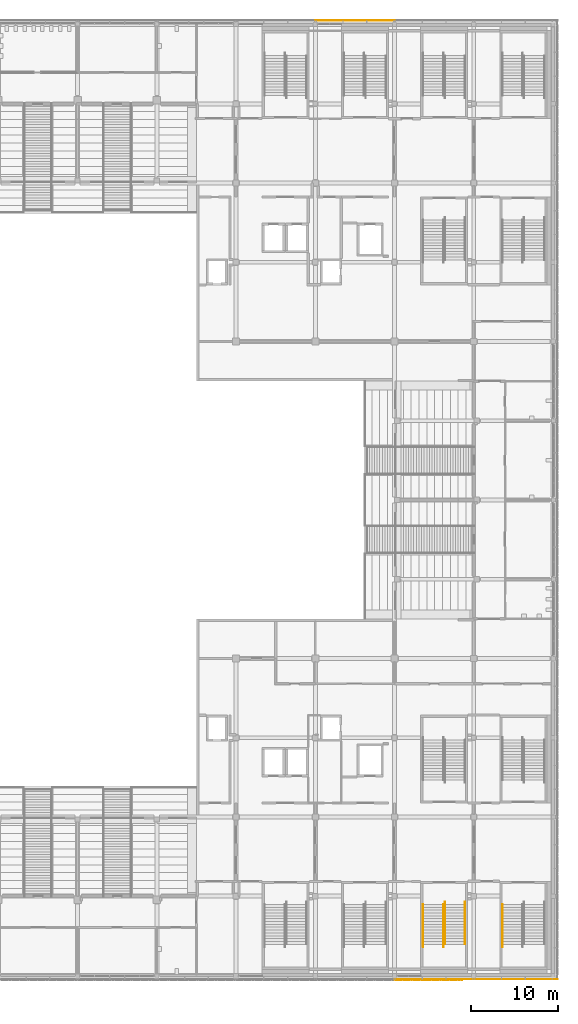
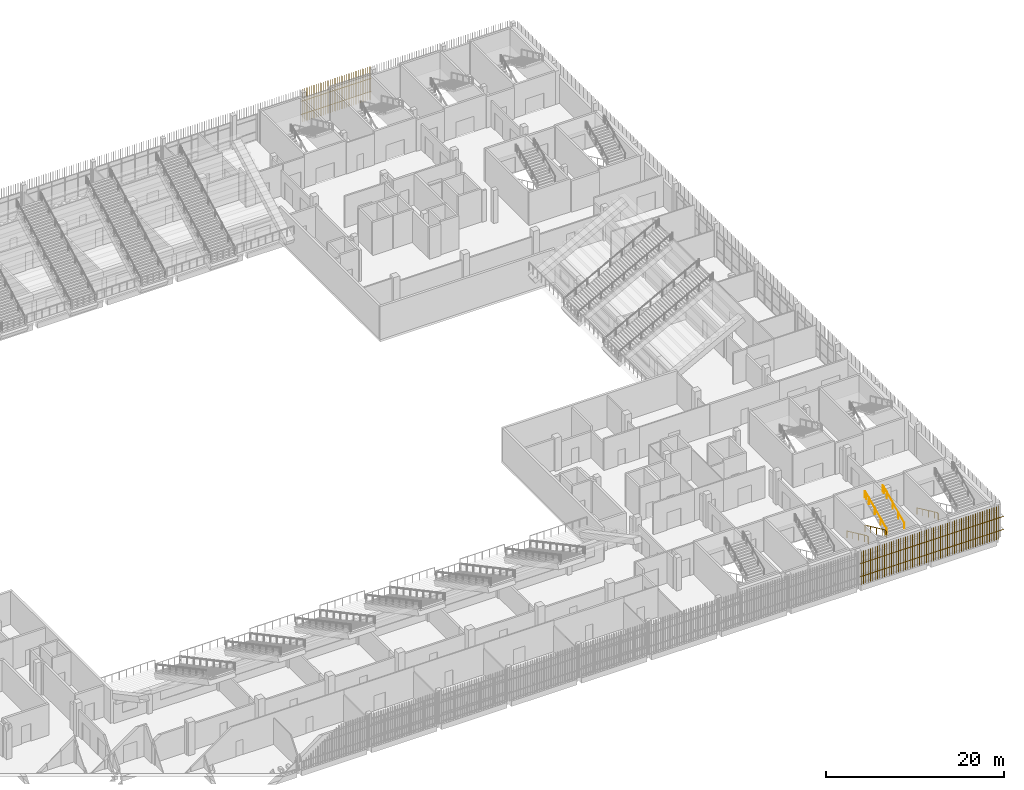
# One storey, part 130 of 139: 5 railings, 3 shading devices.
"""IFC4 building model written with IfcOpenShell, lengths in metres."""

from ifc_helpers import new_model, si_unit, direction, frame, origin, origin_2d, place, context, subcontext, project, spatial, rectangle, circle, extrude, material, type_object, element, save


model = new_model("IFC4")

# Units and contexts
model_context = context("Model", 3, precision=1e-05, world=origin(), true_north=direction((0.0, 1.0)))
body_context = subcontext(model_context, "Body", "Model", "MODEL_VIEW")
ifc_project = project(units=[si_unit("LENGTHUNIT", "METRE"), si_unit("AREAUNIT", "SQUARE_METRE"), si_unit("VOLUMEUNIT", "CUBIC_METRE"), si_unit("PLANEANGLEUNIT", "RADIAN"), si_unit("MASSUNIT", "GRAM", prefix="KILO")], contexts=[model_context])

# Site, building, storey
site_placement = place(None, origin())
site = spatial("IfcSite", under=ifc_project, at=site_placement, CompositionType="ELEMENT")
building_placement = place(site_placement, origin())
building = spatial("IfcBuilding", under=site, at=building_placement, Name="Shirokan Park Arena", CompositionType="ELEMENT")
storey_placement = place(building_placement, frame((0.0, 0.0, 15.469970703125)))
storey = spatial("IfcBuildingStorey", under=building, at=storey_placement, Name="L03", CompositionType="ELEMENT", Elevation=15.469970703125)

# Railings
ifc_material_1 = material(Name="Stainless steel", Category="steel")
railing_type = type_object("IfcRailingType", Name="Stair handrail 900", PredefinedType="HANDRAIL", material=ifc_material_1)
railing_1_placement = place(storey_placement, frame((139.7900390625, 8.14990234375, 0.151611328125)))
element("IfcRailing", 1, at=railing_1_placement, inside=storey, type_object=railing_type, Name="Handrail Exit Stair 2.A L03 to L04", PredefinedType="HANDRAIL", context=body_context, shape_type="SweptSolid", body=[
    extrude(circle(Radius=0.02392578125, at=origin_2d()), frame((0.0, 0.0, 0.8759765625), z_axis=(0.0, -0.906999720516, 0.421131222998), x_axis=(1.0, 0.0, 0.0)), (0.0, 0.0, 1.0), 1.440673828125),
    extrude(circle(Radius=0.02392578125, at=origin_2d()), frame((0.0, -1.306640625, 1.482421875), z_axis=(0.0, -0.907029769225, 0.421066500378), x_axis=(1.0, 0.0, 0.0)), (0.0, 0.0, 1.0), 1.44091796875),
    extrude(circle(Radius=0.02392578125, at=origin_2d()), frame((0.0, -2.613525390625, 2.08935546875), z_axis=(0.0, -0.907029769225, 0.421066500378), x_axis=(1.0, 0.0, 0.0)), (0.0, 0.0, 1.0), 1.44091796875),
    extrude(circle(Radius=0.02392578125, at=origin_2d()), frame((0.0, -3.92041015625, 2.69580078125), z_axis=(0.0, -0.906934982928, 0.421270621741), x_axis=(1.0, 0.0, 0.0)), (0.0, 0.0, 1.0), 0.720458984375),
    extrude(circle(Radius=0.02392578125, at=origin_2d()), frame((0.0, -4.57373046875, 2.99951171875), z_axis=(0.0, -1.0, 0.0), x_axis=(1.0, 0.0, 0.0)), (0.0, 0.0, 1.0), 0.300048828125),
    extrude(circle(Radius=0.02099609375, at=origin_2d()), origin(), (0.0, 0.0, 1.0), 0.851806640625),
    extrude(circle(Radius=0.02099609375, at=origin_2d()), frame((0.0, -1.306640625, 0.606689453125)), (0.0, 0.0, 1.0), 0.851806640625),
    extrude(circle(Radius=0.02099609375, at=origin_2d()), frame((0.0, -2.613525390625, 1.21337890625)), (0.0, 0.0, 1.0), 0.851806640625),
    extrude(circle(Radius=0.02099609375, at=origin_2d()), frame((0.0, -3.92041015625, 1.820068359375)), (0.0, 0.0, 1.0), 0.851806640625),
    extrude(circle(Radius=0.02099609375, at=origin_2d()), frame((0.0, -4.57373046875, 2.12353515625)), (0.0, 0.0, 1.0), 0.851806640625),
    extrude(circle(Radius=0.02099609375, at=origin_2d()), frame((0.0, -4.873779296875, 2.12353515625)), (0.0, 0.0, 1.0), 0.851806640625),
])
railing_2_placement = place(storey_placement, frame((130.68994140625, 8.14990234375, 0.151611328125)))
element("IfcRailing", 2, at=railing_2_placement, inside=storey, type_object=railing_type, Name="Handrail Exit Stair 2.B L03 to L04", PredefinedType="HANDRAIL", context=body_context, shape_type="SweptSolid", body=[
    extrude(circle(Radius=0.02392578125, at=origin_2d()), frame((0.0, 0.0, 0.8759765625), z_axis=(0.0, -0.906999720516, 0.421131222998), x_axis=(1.0, 0.0, 0.0)), (0.0, 0.0, 1.0), 1.440673828125),
    extrude(circle(Radius=0.02392578125, at=origin_2d()), frame((0.0, -1.306640625, 1.482421875), z_axis=(0.0, -0.907029769225, 0.421066500378), x_axis=(1.0, 0.0, 0.0)), (0.0, 0.0, 1.0), 1.44091796875),
    extrude(circle(Radius=0.02392578125, at=origin_2d()), frame((0.0, -2.613525390625, 2.08935546875), z_axis=(0.0, -0.907029769225, 0.421066500378), x_axis=(1.0, 0.0, 0.0)), (0.0, 0.0, 1.0), 1.44091796875),
    extrude(circle(Radius=0.02392578125, at=origin_2d()), frame((0.0, -3.92041015625, 2.69580078125), z_axis=(0.0, -0.906934982928, 0.421270621741), x_axis=(1.0, 0.0, 0.0)), (0.0, 0.0, 1.0), 0.720458984375),
    extrude(circle(Radius=0.02392578125, at=origin_2d()), frame((0.0, -4.57373046875, 2.99951171875), z_axis=(0.0, -1.0, 0.0), x_axis=(1.0, 0.0, 0.0)), (0.0, 0.0, 1.0), 0.300048828125),
    extrude(circle(Radius=0.02099609375, at=origin_2d()), origin(), (0.0, 0.0, 1.0), 0.851806640625),
    extrude(circle(Radius=0.02099609375, at=origin_2d()), frame((0.0, -1.306640625, 0.606689453125)), (0.0, 0.0, 1.0), 0.851806640625),
    extrude(circle(Radius=0.02099609375, at=origin_2d()), frame((0.0, -2.613525390625, 1.21337890625)), (0.0, 0.0, 1.0), 0.851806640625),
    extrude(circle(Radius=0.02099609375, at=origin_2d()), frame((0.0, -3.92041015625, 1.820068359375)), (0.0, 0.0, 1.0), 0.851806640625),
    extrude(circle(Radius=0.02099609375, at=origin_2d()), frame((0.0, -4.57373046875, 2.12353515625)), (0.0, 0.0, 1.0), 0.851806640625),
    extrude(circle(Radius=0.02099609375, at=origin_2d()), frame((0.0, -4.873779296875, 2.12353515625)), (0.0, 0.0, 1.0), 0.851806640625),
])
railing_3_placement = place(storey_placement, frame((133.010009765625, 8.14990234375, 0.151611328125)))
element("IfcRailing", 3, at=railing_3_placement, inside=storey, type_object=railing_type, Name="Handrail Exit Stair 2.B L03 to L04", PredefinedType="HANDRAIL", context=body_context, shape_type="SweptSolid", body=[
    extrude(circle(Radius=0.02392578125, at=origin_2d()), frame((0.0, 0.0, 0.8759765625), z_axis=(0.0, -0.906999720516, 0.421131222998), x_axis=(1.0, 0.0, 0.0)), (0.0, 0.0, 1.0), 1.440673828125),
    extrude(circle(Radius=0.02392578125, at=origin_2d()), frame((0.0, -1.306640625, 1.482421875), z_axis=(0.0, -0.907029769225, 0.421066500378), x_axis=(1.0, 0.0, 0.0)), (0.0, 0.0, 1.0), 1.44091796875),
    extrude(circle(Radius=0.02392578125, at=origin_2d()), frame((0.0, -2.613525390625, 2.08935546875), z_axis=(0.0, -0.907029769225, 0.421066500378), x_axis=(1.0, 0.0, 0.0)), (0.0, 0.0, 1.0), 1.44091796875),
    extrude(circle(Radius=0.02392578125, at=origin_2d()), frame((0.0, -3.92041015625, 2.69580078125), z_axis=(0.0, -0.906934982928, 0.421270621741), x_axis=(1.0, 0.0, 0.0)), (0.0, 0.0, 1.0), 0.720458984375),
    extrude(circle(Radius=0.02392578125, at=origin_2d()), frame((0.0, -4.57373046875, 2.99951171875), z_axis=(0.0, -1.0, 0.0), x_axis=(1.0, 0.0, 0.0)), (0.0, 0.0, 1.0), 0.300048828125),
    extrude(circle(Radius=0.02099609375, at=origin_2d()), origin(), (0.0, 0.0, 1.0), 0.851806640625),
    extrude(circle(Radius=0.02099609375, at=origin_2d()), frame((0.0, -1.306640625, 0.606689453125)), (0.0, 0.0, 1.0), 0.851806640625),
    extrude(circle(Radius=0.02099609375, at=origin_2d()), frame((0.0, -2.613525390625, 1.21337890625)), (0.0, 0.0, 1.0), 0.851806640625),
    extrude(circle(Radius=0.02099609375, at=origin_2d()), frame((0.0, -3.92041015625, 1.820068359375)), (0.0, 0.0, 1.0), 0.851806640625),
    extrude(circle(Radius=0.02099609375, at=origin_2d()), frame((0.0, -4.57373046875, 2.12353515625)), (0.0, 0.0, 1.0), 0.851806640625),
    extrude(circle(Radius=0.02099609375, at=origin_2d()), frame((0.0, -4.873779296875, 2.12353515625)), (0.0, 0.0, 1.0), 0.851806640625),
])
railing_4_placement = place(storey_placement, frame((133.18994140625, 3.576171875, 2.4267578125)))
element("IfcRailing", 4, at=railing_4_placement, inside=storey, type_object=railing_type, Name="Handrail Exit Stair 2.B L03 to L04", PredefinedType="HANDRAIL", context=body_context, shape_type="SweptSolid", body=[
    extrude(circle(Radius=0.02392578125, at=origin_2d()), frame((0.0, 0.0, 0.8759765625), z_axis=(0.0, 0.907029769225, 0.421066500378), x_axis=(-1.0, 0.0, 0.0)), (0.0, 0.0, 1.0), 1.44091796875),
    extrude(circle(Radius=0.02392578125, at=origin_2d()), frame((0.0, 1.306884765625, 1.482421875), z_axis=(0.0, 0.906999720516, 0.421131222998), x_axis=(-1.0, 0.0, 0.0)), (0.0, 0.0, 1.0), 1.440673828125),
    extrude(circle(Radius=0.02392578125, at=origin_2d()), frame((0.0, 2.613525390625, 2.08935546875), z_axis=(0.0, 0.907094476872, 0.420927083981), x_axis=(-1.0, 0.0, 0.0)), (0.0, 0.0, 1.0), 1.440673828125),
    extrude(circle(Radius=0.02392578125, at=origin_2d()), frame((0.0, 3.92041015625, 2.69580078125), z_axis=(0.0, 0.906934982928, 0.421270621741), x_axis=(-1.0, 0.0, 0.0)), (0.0, 0.0, 1.0), 0.720458984375),
    extrude(circle(Radius=0.02392578125, at=origin_2d()), frame((0.0, 4.57373046875, 2.9990234375), z_axis=(0.0, 1.0, 0.0), x_axis=(-1.0, 0.0, 0.0)), (0.0, 0.0, 1.0), 0.300048828125),
    extrude(circle(Radius=0.02099609375, at=origin_2d()), origin(), (0.0, 0.0, 1.0), 0.851806640625),
    extrude(circle(Radius=0.02099609375, at=origin_2d()), frame((0.0, 1.306884765625, 0.606689453125)), (0.0, 0.0, 1.0), 0.851806640625),
    extrude(circle(Radius=0.02099609375, at=origin_2d()), frame((0.0, 2.613525390625, 1.21337890625)), (0.0, 0.0, 1.0), 0.851806640625),
    extrude(circle(Radius=0.02099609375, at=origin_2d()), frame((0.0, 3.92041015625, 1.81982421875)), (0.0, 0.0, 1.0), 0.851806640625),
    extrude(circle(Radius=0.02099609375, at=origin_2d()), frame((0.0, 4.57373046875, 2.123291015625)), (0.0, 0.0, 1.0), 0.851806640625),
    extrude(circle(Radius=0.02099609375, at=origin_2d()), frame((0.0, 4.873779296875, 2.123291015625)), (0.0, 0.0, 1.0), 0.851806640625),
])
railing_5_placement = place(storey_placement, frame((135.510009765625, 3.576171875, 2.4267578125)))
element("IfcRailing", 5, at=railing_5_placement, inside=storey, type_object=railing_type, Name="Handrail Exit Stair 2.B L03 to L04", PredefinedType="HANDRAIL", context=body_context, shape_type="SweptSolid", body=[
    extrude(circle(Radius=0.02392578125, at=origin_2d()), frame((0.0, 0.0, 0.8759765625), z_axis=(0.0, 0.907029769225, 0.421066500378), x_axis=(-1.0, 0.0, 0.0)), (0.0, 0.0, 1.0), 1.44091796875),
    extrude(circle(Radius=0.02392578125, at=origin_2d()), frame((0.0, 1.306884765625, 1.482421875), z_axis=(0.0, 0.906999720516, 0.421131222998), x_axis=(-1.0, 0.0, 0.0)), (0.0, 0.0, 1.0), 1.440673828125),
    extrude(circle(Radius=0.02392578125, at=origin_2d()), frame((0.0, 2.613525390625, 2.08935546875), z_axis=(0.0, 0.907094476872, 0.420927083981), x_axis=(-1.0, 0.0, 0.0)), (0.0, 0.0, 1.0), 1.440673828125),
    extrude(circle(Radius=0.02392578125, at=origin_2d()), frame((0.0, 3.92041015625, 2.69580078125), z_axis=(0.0, 0.906934982928, 0.421270621741), x_axis=(-1.0, 0.0, 0.0)), (0.0, 0.0, 1.0), 0.720458984375),
    extrude(circle(Radius=0.02392578125, at=origin_2d()), frame((0.0, 4.57373046875, 2.9990234375), z_axis=(0.0, 1.0, 0.0), x_axis=(-1.0, 0.0, 0.0)), (0.0, 0.0, 1.0), 0.300048828125),
    extrude(circle(Radius=0.02099609375, at=origin_2d()), origin(), (0.0, 0.0, 1.0), 0.851806640625),
    extrude(circle(Radius=0.02099609375, at=origin_2d()), frame((0.0, 1.306884765625, 0.606689453125)), (0.0, 0.0, 1.0), 0.851806640625),
    extrude(circle(Radius=0.02099609375, at=origin_2d()), frame((0.0, 2.613525390625, 1.21337890625)), (0.0, 0.0, 1.0), 0.851806640625),
    extrude(circle(Radius=0.02099609375, at=origin_2d()), frame((0.0, 3.92041015625, 1.81982421875)), (0.0, 0.0, 1.0), 0.851806640625),
    extrude(circle(Radius=0.02099609375, at=origin_2d()), frame((0.0, 4.57373046875, 2.123291015625)), (0.0, 0.0, 1.0), 0.851806640625),
    extrude(circle(Radius=0.02099609375, at=origin_2d()), frame((0.0, 4.873779296875, 2.123291015625)), (0.0, 0.0, 1.0), 0.851806640625),
])

# Shading devices
ifc_material_2 = material(Name="Timber louvre veil (cedar)", Category="wood")
shading_device_type = type_object("IfcShadingDeviceType", Name="Timber louvre veil panel", PredefinedType="JALOUSIE", material=ifc_material_2)
shading_device_1_placement = place(storey_placement, origin())
element("IfcShadingDevice", 6, at=shading_device_1_placement, inside=storey, type_object=shading_device_type, Name="Timber louvre veil south bay 15 L03", PredefinedType="JALOUSIE", context=body_context, shape_type="SweptSolid", body=[
    extrude(rectangle(XDim=0.050048828125, YDim=0.080078125, at=origin_2d()), frame((127.5517578125, -0.485107421875, 0.0), z_axis=(0.0, 0.0, 1.0), x_axis=(1.0, 0.0, 0.0)), (0.0, 0.0, 1.0), 4.550048828125),
    extrude(rectangle(XDim=0.050048828125, YDim=0.080078125, at=origin_2d()), frame((127.85498046875, -0.485107421875, 0.0), z_axis=(0.0, 0.0, 1.0), x_axis=(1.0, 0.0, 0.0)), (0.0, 0.0, 1.0), 4.550048828125),
    extrude(rectangle(XDim=0.050048828125, YDim=0.080078125, at=origin_2d()), frame((128.158447265625, -0.485107421875, 0.0), z_axis=(0.0, 0.0, 1.0), x_axis=(1.0, 0.0, 0.0)), (0.0, 0.0, 1.0), 4.550048828125),
    extrude(rectangle(XDim=0.050048828125, YDim=0.080078125, at=origin_2d()), frame((128.461669921875, -0.485107421875, 0.0), z_axis=(0.0, 0.0, 1.0), x_axis=(1.0, 0.0, 0.0)), (0.0, 0.0, 1.0), 4.550048828125),
    extrude(rectangle(XDim=0.050048828125, YDim=0.080078125, at=origin_2d()), frame((128.764892578125, -0.485107421875, 0.0), z_axis=(0.0, 0.0, 1.0), x_axis=(1.0, 0.0, 0.0)), (0.0, 0.0, 1.0), 4.550048828125),
    extrude(rectangle(XDim=0.050048828125, YDim=0.080078125, at=origin_2d()), frame((129.068359375, -0.485107421875, 0.0), z_axis=(0.0, 0.0, 1.0), x_axis=(1.0, 0.0, 0.0)), (0.0, 0.0, 1.0), 4.550048828125),
    extrude(rectangle(XDim=0.050048828125, YDim=0.080078125, at=origin_2d()), frame((129.37158203125, -0.485107421875, 0.0), z_axis=(0.0, 0.0, 1.0), x_axis=(1.0, 0.0, 0.0)), (0.0, 0.0, 1.0), 4.550048828125),
    extrude(rectangle(XDim=0.050048828125, YDim=0.080078125, at=origin_2d()), frame((129.675048828125, -0.485107421875, 0.0), z_axis=(0.0, 0.0, 1.0), x_axis=(1.0, 0.0, 0.0)), (0.0, 0.0, 1.0), 4.550048828125),
    extrude(rectangle(XDim=0.050048828125, YDim=0.080078125, at=origin_2d()), frame((129.978271484375, -0.485107421875, 0.0), z_axis=(0.0, 0.0, 1.0), x_axis=(1.0, 0.0, 0.0)), (0.0, 0.0, 1.0), 4.550048828125),
    extrude(rectangle(XDim=0.050048828125, YDim=0.080078125, at=origin_2d()), frame((130.28173828125, -0.485107421875, 0.0), z_axis=(0.0, 0.0, 1.0), x_axis=(1.0, 0.0, 0.0)), (0.0, 0.0, 1.0), 4.550048828125),
    extrude(rectangle(XDim=0.050048828125, YDim=0.080078125, at=origin_2d()), frame((130.5849609375, -0.485107421875, 0.0), z_axis=(0.0, 0.0, 1.0), x_axis=(1.0, 0.0, 0.0)), (0.0, 0.0, 1.0), 4.550048828125),
    extrude(rectangle(XDim=0.050048828125, YDim=0.080078125, at=origin_2d()), frame((130.888427734375, -0.485107421875, 0.0), z_axis=(0.0, 0.0, 1.0), x_axis=(1.0, 0.0, 0.0)), (0.0, 0.0, 1.0), 4.550048828125),
    extrude(rectangle(XDim=0.050048828125, YDim=0.080078125, at=origin_2d()), frame((131.191650390625, -0.485107421875, 0.0), z_axis=(0.0, 0.0, 1.0), x_axis=(1.0, 0.0, 0.0)), (0.0, 0.0, 1.0), 4.550048828125),
    extrude(rectangle(XDim=0.050048828125, YDim=0.080078125, at=origin_2d()), frame((131.4951171875, -0.485107421875, 0.0), z_axis=(0.0, 0.0, 1.0), x_axis=(1.0, 0.0, 0.0)), (0.0, 0.0, 1.0), 4.550048828125),
    extrude(rectangle(XDim=0.050048828125, YDim=0.080078125, at=origin_2d()), frame((131.79833984375, -0.485107421875, 0.0), z_axis=(0.0, 0.0, 1.0), x_axis=(1.0, 0.0, 0.0)), (0.0, 0.0, 1.0), 4.550048828125),
    extrude(rectangle(XDim=0.050048828125, YDim=0.080078125, at=origin_2d()), frame((132.1015625, -0.485107421875, 0.0), z_axis=(0.0, 0.0, 1.0), x_axis=(1.0, 0.0, 0.0)), (0.0, 0.0, 1.0), 4.550048828125),
    extrude(rectangle(XDim=0.050048828125, YDim=0.080078125, at=origin_2d()), frame((132.405029296875, -0.485107421875, 0.0), z_axis=(0.0, 0.0, 1.0), x_axis=(1.0, 0.0, 0.0)), (0.0, 0.0, 1.0), 4.550048828125),
    extrude(rectangle(XDim=0.050048828125, YDim=0.080078125, at=origin_2d()), frame((132.708251953125, -0.485107421875, 0.0), z_axis=(0.0, 0.0, 1.0), x_axis=(1.0, 0.0, 0.0)), (0.0, 0.0, 1.0), 4.550048828125),
    extrude(rectangle(XDim=0.050048828125, YDim=0.080078125, at=origin_2d()), frame((133.01171875, -0.485107421875, 0.0), z_axis=(0.0, 0.0, 1.0), x_axis=(1.0, 0.0, 0.0)), (0.0, 0.0, 1.0), 4.550048828125),
    extrude(rectangle(XDim=0.050048828125, YDim=0.080078125, at=origin_2d()), frame((133.31494140625, -0.485107421875, 0.0), z_axis=(0.0, 0.0, 1.0), x_axis=(1.0, 0.0, 0.0)), (0.0, 0.0, 1.0), 4.550048828125),
    extrude(rectangle(XDim=0.050048828125, YDim=0.080078125, at=origin_2d()), frame((133.618408203125, -0.485107421875, 0.0), z_axis=(0.0, 0.0, 1.0), x_axis=(1.0, 0.0, 0.0)), (0.0, 0.0, 1.0), 4.550048828125),
    extrude(rectangle(XDim=0.050048828125, YDim=0.080078125, at=origin_2d()), frame((133.921630859375, -0.485107421875, 0.0), z_axis=(0.0, 0.0, 1.0), x_axis=(1.0, 0.0, 0.0)), (0.0, 0.0, 1.0), 4.550048828125),
    extrude(rectangle(XDim=0.050048828125, YDim=0.080078125, at=origin_2d()), frame((134.22509765625, -0.485107421875, 0.0), z_axis=(0.0, 0.0, 1.0), x_axis=(1.0, 0.0, 0.0)), (0.0, 0.0, 1.0), 4.550048828125),
    extrude(rectangle(XDim=0.050048828125, YDim=0.080078125, at=origin_2d()), frame((134.5283203125, -0.485107421875, 0.0), z_axis=(0.0, 0.0, 1.0), x_axis=(1.0, 0.0, 0.0)), (0.0, 0.0, 1.0), 4.550048828125),
    extrude(rectangle(XDim=0.050048828125, YDim=0.080078125, at=origin_2d()), frame((134.831787109375, -0.485107421875, 0.0), z_axis=(0.0, 0.0, 1.0), x_axis=(1.0, 0.0, 0.0)), (0.0, 0.0, 1.0), 4.550048828125),
    extrude(rectangle(XDim=0.050048828125, YDim=0.080078125, at=origin_2d()), frame((135.135009765625, -0.485107421875, 0.0), z_axis=(0.0, 0.0, 1.0), x_axis=(1.0, 0.0, 0.0)), (0.0, 0.0, 1.0), 4.550048828125),
    extrude(rectangle(XDim=0.050048828125, YDim=0.080078125, at=origin_2d()), frame((135.438232421875, -0.485107421875, 0.0), z_axis=(0.0, 0.0, 1.0), x_axis=(1.0, 0.0, 0.0)), (0.0, 0.0, 1.0), 4.550048828125),
    extrude(rectangle(XDim=0.050048828125, YDim=0.080078125, at=origin_2d()), frame((135.74169921875, -0.485107421875, 0.0), z_axis=(0.0, 0.0, 1.0), x_axis=(1.0, 0.0, 0.0)), (0.0, 0.0, 1.0), 4.550048828125),
    extrude(rectangle(XDim=0.050048828125, YDim=0.080078125, at=origin_2d()), frame((136.044921875, -0.485107421875, 0.0), z_axis=(0.0, 0.0, 1.0), x_axis=(1.0, 0.0, 0.0)), (0.0, 0.0, 1.0), 4.550048828125),
    extrude(rectangle(XDim=0.050048828125, YDim=0.080078125, at=origin_2d()), frame((136.348388671875, -0.485107421875, 0.0), z_axis=(0.0, 0.0, 1.0), x_axis=(1.0, 0.0, 0.0)), (0.0, 0.0, 1.0), 4.550048828125),
    extrude(rectangle(XDim=9.10009765625, YDim=0.050048828125, at=origin_2d()), frame((131.949951171875, -0.469970703125, 1.06005859375), z_axis=(0.0, 0.0, 1.0), x_axis=(1.0, 0.0, 0.0)), (0.0, 0.0, 1.0), 0.080078125),
    extrude(rectangle(XDim=9.10009765625, YDim=0.050048828125, at=origin_2d()), frame((131.949951171875, -0.469970703125, 2.860107421875), z_axis=(0.0, 0.0, 1.0), x_axis=(1.0, 0.0, 0.0)), (0.0, 0.0, 1.0), 0.080078125),
])
shading_device_2_placement = place(storey_placement, origin())
element("IfcShadingDevice", 7, at=shading_device_2_placement, inside=storey, type_object=shading_device_type, Name="Timber louvre veil south bay 16 L03", PredefinedType="JALOUSIE", context=body_context, shape_type="SweptSolid", body=[
    extrude(rectangle(XDim=0.050048828125, YDim=0.080078125, at=origin_2d()), frame((136.651611328125, -0.485107421875, 0.0), z_axis=(0.0, 0.0, 1.0), x_axis=(1.0, 0.0, 0.0)), (0.0, 0.0, 1.0), 4.550048828125),
    extrude(rectangle(XDim=0.050048828125, YDim=0.080078125, at=origin_2d()), frame((136.955078125, -0.485107421875, 0.0), z_axis=(0.0, 0.0, 1.0), x_axis=(1.0, 0.0, 0.0)), (0.0, 0.0, 1.0), 4.550048828125),
    extrude(rectangle(XDim=0.050048828125, YDim=0.080078125, at=origin_2d()), frame((137.25830078125, -0.485107421875, 0.0), z_axis=(0.0, 0.0, 1.0), x_axis=(1.0, 0.0, 0.0)), (0.0, 0.0, 1.0), 4.550048828125),
    extrude(rectangle(XDim=0.050048828125, YDim=0.080078125, at=origin_2d()), frame((137.561767578125, -0.485107421875, 0.0), z_axis=(0.0, 0.0, 1.0), x_axis=(1.0, 0.0, 0.0)), (0.0, 0.0, 1.0), 4.550048828125),
    extrude(rectangle(XDim=0.050048828125, YDim=0.080078125, at=origin_2d()), frame((137.864990234375, -0.485107421875, 0.0), z_axis=(0.0, 0.0, 1.0), x_axis=(1.0, 0.0, 0.0)), (0.0, 0.0, 1.0), 4.550048828125),
    extrude(rectangle(XDim=0.050048828125, YDim=0.080078125, at=origin_2d()), frame((138.168212890625, -0.485107421875, 0.0), z_axis=(0.0, 0.0, 1.0), x_axis=(1.0, 0.0, 0.0)), (0.0, 0.0, 1.0), 4.550048828125),
    extrude(rectangle(XDim=0.050048828125, YDim=0.080078125, at=origin_2d()), frame((138.4716796875, -0.485107421875, 0.0), z_axis=(0.0, 0.0, 1.0), x_axis=(1.0, 0.0, 0.0)), (0.0, 0.0, 1.0), 4.550048828125),
    extrude(rectangle(XDim=0.050048828125, YDim=0.080078125, at=origin_2d()), frame((138.77490234375, -0.485107421875, 0.0), z_axis=(0.0, 0.0, 1.0), x_axis=(1.0, 0.0, 0.0)), (0.0, 0.0, 1.0), 4.550048828125),
    extrude(rectangle(XDim=0.050048828125, YDim=0.080078125, at=origin_2d()), frame((139.078369140625, -0.485107421875, 0.0), z_axis=(0.0, 0.0, 1.0), x_axis=(1.0, 0.0, 0.0)), (0.0, 0.0, 1.0), 4.550048828125),
    extrude(rectangle(XDim=0.050048828125, YDim=0.080078125, at=origin_2d()), frame((139.381591796875, -0.485107421875, 0.0), z_axis=(0.0, 0.0, 1.0), x_axis=(1.0, 0.0, 0.0)), (0.0, 0.0, 1.0), 4.550048828125),
    extrude(rectangle(XDim=0.050048828125, YDim=0.080078125, at=origin_2d()), frame((139.68505859375, -0.485107421875, 0.0), z_axis=(0.0, 0.0, 1.0), x_axis=(1.0, 0.0, 0.0)), (0.0, 0.0, 1.0), 4.550048828125),
    extrude(rectangle(XDim=0.050048828125, YDim=0.080078125, at=origin_2d()), frame((139.98828125, -0.485107421875, 0.0), z_axis=(0.0, 0.0, 1.0), x_axis=(1.0, 0.0, 0.0)), (0.0, 0.0, 1.0), 4.550048828125),
    extrude(rectangle(XDim=0.050048828125, YDim=0.080078125, at=origin_2d()), frame((140.291748046875, -0.485107421875, 0.0), z_axis=(0.0, 0.0, 1.0), x_axis=(1.0, 0.0, 0.0)), (0.0, 0.0, 1.0), 4.550048828125),
    extrude(rectangle(XDim=0.050048828125, YDim=0.080078125, at=origin_2d()), frame((140.594970703125, -0.485107421875, 0.0), z_axis=(0.0, 0.0, 1.0), x_axis=(1.0, 0.0, 0.0)), (0.0, 0.0, 1.0), 4.550048828125),
    extrude(rectangle(XDim=0.050048828125, YDim=0.080078125, at=origin_2d()), frame((140.8984375, -0.485107421875, 0.0), z_axis=(0.0, 0.0, 1.0), x_axis=(1.0, 0.0, 0.0)), (0.0, 0.0, 1.0), 4.550048828125),
    extrude(rectangle(XDim=0.050048828125, YDim=0.080078125, at=origin_2d()), frame((141.20166015625, -0.485107421875, 0.0), z_axis=(0.0, 0.0, 1.0), x_axis=(1.0, 0.0, 0.0)), (0.0, 0.0, 1.0), 4.550048828125),
    extrude(rectangle(XDim=0.050048828125, YDim=0.080078125, at=origin_2d()), frame((141.5048828125, -0.485107421875, 0.0), z_axis=(0.0, 0.0, 1.0), x_axis=(1.0, 0.0, 0.0)), (0.0, 0.0, 1.0), 4.550048828125),
    extrude(rectangle(XDim=0.050048828125, YDim=0.080078125, at=origin_2d()), frame((141.808349609375, -0.485107421875, 0.0), z_axis=(0.0, 0.0, 1.0), x_axis=(1.0, 0.0, 0.0)), (0.0, 0.0, 1.0), 4.550048828125),
    extrude(rectangle(XDim=0.050048828125, YDim=0.080078125, at=origin_2d()), frame((142.111572265625, -0.485107421875, 0.0), z_axis=(0.0, 0.0, 1.0), x_axis=(1.0, 0.0, 0.0)), (0.0, 0.0, 1.0), 4.550048828125),
    extrude(rectangle(XDim=0.050048828125, YDim=0.080078125, at=origin_2d()), frame((142.4150390625, -0.485107421875, 0.0), z_axis=(0.0, 0.0, 1.0), x_axis=(1.0, 0.0, 0.0)), (0.0, 0.0, 1.0), 4.550048828125),
    extrude(rectangle(XDim=0.050048828125, YDim=0.080078125, at=origin_2d()), frame((142.71826171875, -0.485107421875, 0.0), z_axis=(0.0, 0.0, 1.0), x_axis=(1.0, 0.0, 0.0)), (0.0, 0.0, 1.0), 4.550048828125),
    extrude(rectangle(XDim=0.050048828125, YDim=0.080078125, at=origin_2d()), frame((143.021728515625, -0.485107421875, 0.0), z_axis=(0.0, 0.0, 1.0), x_axis=(1.0, 0.0, 0.0)), (0.0, 0.0, 1.0), 4.550048828125),
    extrude(rectangle(XDim=0.050048828125, YDim=0.080078125, at=origin_2d()), frame((143.324951171875, -0.485107421875, 0.0), z_axis=(0.0, 0.0, 1.0), x_axis=(1.0, 0.0, 0.0)), (0.0, 0.0, 1.0), 4.550048828125),
    extrude(rectangle(XDim=0.050048828125, YDim=0.080078125, at=origin_2d()), frame((143.62841796875, -0.485107421875, 0.0), z_axis=(0.0, 0.0, 1.0), x_axis=(1.0, 0.0, 0.0)), (0.0, 0.0, 1.0), 4.550048828125),
    extrude(rectangle(XDim=0.050048828125, YDim=0.080078125, at=origin_2d()), frame((143.931640625, -0.485107421875, 0.0), z_axis=(0.0, 0.0, 1.0), x_axis=(1.0, 0.0, 0.0)), (0.0, 0.0, 1.0), 4.550048828125),
    extrude(rectangle(XDim=0.050048828125, YDim=0.080078125, at=origin_2d()), frame((144.235107421875, -0.485107421875, 0.0), z_axis=(0.0, 0.0, 1.0), x_axis=(1.0, 0.0, 0.0)), (0.0, 0.0, 1.0), 4.550048828125),
    extrude(rectangle(XDim=0.050048828125, YDim=0.080078125, at=origin_2d()), frame((144.538330078125, -0.485107421875, 0.0), z_axis=(0.0, 0.0, 1.0), x_axis=(1.0, 0.0, 0.0)), (0.0, 0.0, 1.0), 4.550048828125),
    extrude(rectangle(XDim=0.050048828125, YDim=0.080078125, at=origin_2d()), frame((144.841552734375, -0.485107421875, 0.0), z_axis=(0.0, 0.0, 1.0), x_axis=(1.0, 0.0, 0.0)), (0.0, 0.0, 1.0), 4.550048828125),
    extrude(rectangle(XDim=0.050048828125, YDim=0.080078125, at=origin_2d()), frame((145.14501953125, -0.485107421875, 0.0), z_axis=(0.0, 0.0, 1.0), x_axis=(1.0, 0.0, 0.0)), (0.0, 0.0, 1.0), 4.550048828125),
    extrude(rectangle(XDim=0.050048828125, YDim=0.080078125, at=origin_2d()), frame((145.4482421875, -0.485107421875, 0.0), z_axis=(0.0, 0.0, 1.0), x_axis=(1.0, 0.0, 0.0)), (0.0, 0.0, 1.0), 4.550048828125),
    extrude(rectangle(XDim=9.625, YDim=0.050048828125, at=origin_2d()), frame((141.3125, -0.469970703125, 1.06005859375), z_axis=(0.0, 0.0, 1.0), x_axis=(1.0, 0.0, 0.0)), (0.0, 0.0, 1.0), 0.080078125),
    extrude(rectangle(XDim=9.625, YDim=0.050048828125, at=origin_2d()), frame((141.3125, -0.469970703125, 2.860107421875), z_axis=(0.0, 0.0, 1.0), x_axis=(1.0, 0.0, 0.0)), (0.0, 0.0, 1.0), 0.080078125),
])
shading_device_3_placement = place(storey_placement, origin())
element("IfcShadingDevice", 8, at=shading_device_3_placement, inside=storey, type_object=shading_device_type, Name="Timber louvre veil north bay 3 L03", PredefinedType="JALOUSIE", context=body_context, shape_type="SweptSolid", body=[
    extrude(rectangle(XDim=0.050048828125, YDim=0.080078125, at=origin_2d()), frame((127.248291015625, 109.68505859375, 0.0), z_axis=(0.0, 0.0, 1.0), x_axis=(-1.0, 0.0, 0.0)), (0.0, 0.0, 1.0), 4.550048828125),
    extrude(rectangle(XDim=0.050048828125, YDim=0.080078125, at=origin_2d()), frame((126.945068359375, 109.68505859375, 0.0), z_axis=(0.0, 0.0, 1.0), x_axis=(-1.0, 0.0, 0.0)), (0.0, 0.0, 1.0), 4.550048828125),
    extrude(rectangle(XDim=0.050048828125, YDim=0.080078125, at=origin_2d()), frame((126.6416015625, 109.68505859375, 0.0), z_axis=(0.0, 0.0, 1.0), x_axis=(-1.0, 0.0, 0.0)), (0.0, 0.0, 1.0), 4.550048828125),
    extrude(rectangle(XDim=0.050048828125, YDim=0.080078125, at=origin_2d()), frame((126.33837890625, 109.68505859375, 0.0), z_axis=(0.0, 0.0, 1.0), x_axis=(-1.0, 0.0, 0.0)), (0.0, 0.0, 1.0), 4.550048828125),
    extrude(rectangle(XDim=0.050048828125, YDim=0.080078125, at=origin_2d()), frame((126.034912109375, 109.68505859375, 0.0), z_axis=(0.0, 0.0, 1.0), x_axis=(-1.0, 0.0, 0.0)), (0.0, 0.0, 1.0), 4.550048828125),
    extrude(rectangle(XDim=0.050048828125, YDim=0.080078125, at=origin_2d()), frame((125.731689453125, 109.68505859375, 0.0), z_axis=(0.0, 0.0, 1.0), x_axis=(-1.0, 0.0, 0.0)), (0.0, 0.0, 1.0), 4.550048828125),
    extrude(rectangle(XDim=0.050048828125, YDim=0.080078125, at=origin_2d()), frame((125.42822265625, 109.68505859375, 0.0), z_axis=(0.0, 0.0, 1.0), x_axis=(-1.0, 0.0, 0.0)), (0.0, 0.0, 1.0), 4.550048828125),
    extrude(rectangle(XDim=0.050048828125, YDim=0.080078125, at=origin_2d()), frame((125.125, 109.68505859375, 0.0), z_axis=(0.0, 0.0, 1.0), x_axis=(-1.0, 0.0, 0.0)), (0.0, 0.0, 1.0), 4.550048828125),
    extrude(rectangle(XDim=0.050048828125, YDim=0.080078125, at=origin_2d()), frame((124.82177734375, 109.68505859375, 0.0), z_axis=(0.0, 0.0, 1.0), x_axis=(-1.0, 0.0, 0.0)), (0.0, 0.0, 1.0), 4.550048828125),
    extrude(rectangle(XDim=0.050048828125, YDim=0.080078125, at=origin_2d()), frame((124.518310546875, 109.68505859375, 0.0), z_axis=(0.0, 0.0, 1.0), x_axis=(-1.0, 0.0, 0.0)), (0.0, 0.0, 1.0), 4.550048828125),
    extrude(rectangle(XDim=0.050048828125, YDim=0.080078125, at=origin_2d()), frame((124.215087890625, 109.68505859375, 0.0), z_axis=(0.0, 0.0, 1.0), x_axis=(-1.0, 0.0, 0.0)), (0.0, 0.0, 1.0), 4.550048828125),
    extrude(rectangle(XDim=0.050048828125, YDim=0.080078125, at=origin_2d()), frame((123.91162109375, 109.68505859375, 0.0), z_axis=(0.0, 0.0, 1.0), x_axis=(-1.0, 0.0, 0.0)), (0.0, 0.0, 1.0), 4.550048828125),
    extrude(rectangle(XDim=0.050048828125, YDim=0.080078125, at=origin_2d()), frame((123.6083984375, 109.68505859375, 0.0), z_axis=(0.0, 0.0, 1.0), x_axis=(-1.0, 0.0, 0.0)), (0.0, 0.0, 1.0), 4.550048828125),
    extrude(rectangle(XDim=0.050048828125, YDim=0.080078125, at=origin_2d()), frame((123.304931640625, 109.68505859375, 0.0), z_axis=(0.0, 0.0, 1.0), x_axis=(-1.0, 0.0, 0.0)), (0.0, 0.0, 1.0), 4.550048828125),
    extrude(rectangle(XDim=0.050048828125, YDim=0.080078125, at=origin_2d()), frame((123.001708984375, 109.68505859375, 0.0), z_axis=(0.0, 0.0, 1.0), x_axis=(-1.0, 0.0, 0.0)), (0.0, 0.0, 1.0), 4.550048828125),
    extrude(rectangle(XDim=0.050048828125, YDim=0.080078125, at=origin_2d()), frame((122.6982421875, 109.68505859375, 0.0), z_axis=(0.0, 0.0, 1.0), x_axis=(-1.0, 0.0, 0.0)), (0.0, 0.0, 1.0), 4.550048828125),
    extrude(rectangle(XDim=0.050048828125, YDim=0.080078125, at=origin_2d()), frame((122.39501953125, 109.68505859375, 0.0), z_axis=(0.0, 0.0, 1.0), x_axis=(-1.0, 0.0, 0.0)), (0.0, 0.0, 1.0), 4.550048828125),
    extrude(rectangle(XDim=0.050048828125, YDim=0.080078125, at=origin_2d()), frame((122.091552734375, 109.68505859375, 0.0), z_axis=(0.0, 0.0, 1.0), x_axis=(-1.0, 0.0, 0.0)), (0.0, 0.0, 1.0), 4.550048828125),
    extrude(rectangle(XDim=0.050048828125, YDim=0.080078125, at=origin_2d()), frame((121.788330078125, 109.68505859375, 0.0), z_axis=(0.0, 0.0, 1.0), x_axis=(-1.0, 0.0, 0.0)), (0.0, 0.0, 1.0), 4.550048828125),
    extrude(rectangle(XDim=0.050048828125, YDim=0.080078125, at=origin_2d()), frame((121.485107421875, 109.68505859375, 0.0), z_axis=(0.0, 0.0, 1.0), x_axis=(-1.0, 0.0, 0.0)), (0.0, 0.0, 1.0), 4.550048828125),
    extrude(rectangle(XDim=0.050048828125, YDim=0.080078125, at=origin_2d()), frame((121.181640625, 109.68505859375, 0.0), z_axis=(0.0, 0.0, 1.0), x_axis=(-1.0, 0.0, 0.0)), (0.0, 0.0, 1.0), 4.550048828125),
    extrude(rectangle(XDim=0.050048828125, YDim=0.080078125, at=origin_2d()), frame((120.87841796875, 109.68505859375, 0.0), z_axis=(0.0, 0.0, 1.0), x_axis=(-1.0, 0.0, 0.0)), (0.0, 0.0, 1.0), 4.550048828125),
    extrude(rectangle(XDim=0.050048828125, YDim=0.080078125, at=origin_2d()), frame((120.574951171875, 109.68505859375, 0.0), z_axis=(0.0, 0.0, 1.0), x_axis=(-1.0, 0.0, 0.0)), (0.0, 0.0, 1.0), 4.550048828125),
    extrude(rectangle(XDim=0.050048828125, YDim=0.080078125, at=origin_2d()), frame((120.271728515625, 109.68505859375, 0.0), z_axis=(0.0, 0.0, 1.0), x_axis=(-1.0, 0.0, 0.0)), (0.0, 0.0, 1.0), 4.550048828125),
    extrude(rectangle(XDim=0.050048828125, YDim=0.080078125, at=origin_2d()), frame((119.96826171875, 109.68505859375, 0.0), z_axis=(0.0, 0.0, 1.0), x_axis=(-1.0, 0.0, 0.0)), (0.0, 0.0, 1.0), 4.550048828125),
    extrude(rectangle(XDim=0.050048828125, YDim=0.080078125, at=origin_2d()), frame((119.6650390625, 109.68505859375, 0.0), z_axis=(0.0, 0.0, 1.0), x_axis=(-1.0, 0.0, 0.0)), (0.0, 0.0, 1.0), 4.550048828125),
    extrude(rectangle(XDim=0.050048828125, YDim=0.080078125, at=origin_2d()), frame((119.361572265625, 109.68505859375, 0.0), z_axis=(0.0, 0.0, 1.0), x_axis=(-1.0, 0.0, 0.0)), (0.0, 0.0, 1.0), 4.550048828125),
    extrude(rectangle(XDim=0.050048828125, YDim=0.080078125, at=origin_2d()), frame((119.058349609375, 109.68505859375, 0.0), z_axis=(0.0, 0.0, 1.0), x_axis=(-1.0, 0.0, 0.0)), (0.0, 0.0, 1.0), 4.550048828125),
    extrude(rectangle(XDim=0.050048828125, YDim=0.080078125, at=origin_2d()), frame((118.7548828125, 109.68505859375, 0.0), z_axis=(0.0, 0.0, 1.0), x_axis=(-1.0, 0.0, 0.0)), (0.0, 0.0, 1.0), 4.550048828125),
    extrude(rectangle(XDim=0.050048828125, YDim=0.080078125, at=origin_2d()), frame((118.45166015625, 109.68505859375, 0.0), z_axis=(0.0, 0.0, 1.0), x_axis=(-1.0, 0.0, 0.0)), (0.0, 0.0, 1.0), 4.550048828125),
    extrude(rectangle(XDim=9.10009765625, YDim=0.050048828125, at=origin_2d()), frame((122.85009765625, 109.669921875, 1.06005859375), z_axis=(0.0, 0.0, 1.0), x_axis=(-1.0, 0.0, 0.0)), (0.0, 0.0, 1.0), 0.080078125),
    extrude(rectangle(XDim=9.10009765625, YDim=0.050048828125, at=origin_2d()), frame((122.85009765625, 109.669921875, 2.860107421875), z_axis=(0.0, 0.0, 1.0), x_axis=(-1.0, 0.0, 0.0)), (0.0, 0.0, 1.0), 0.080078125),
])

save(model, "model.ifc")
